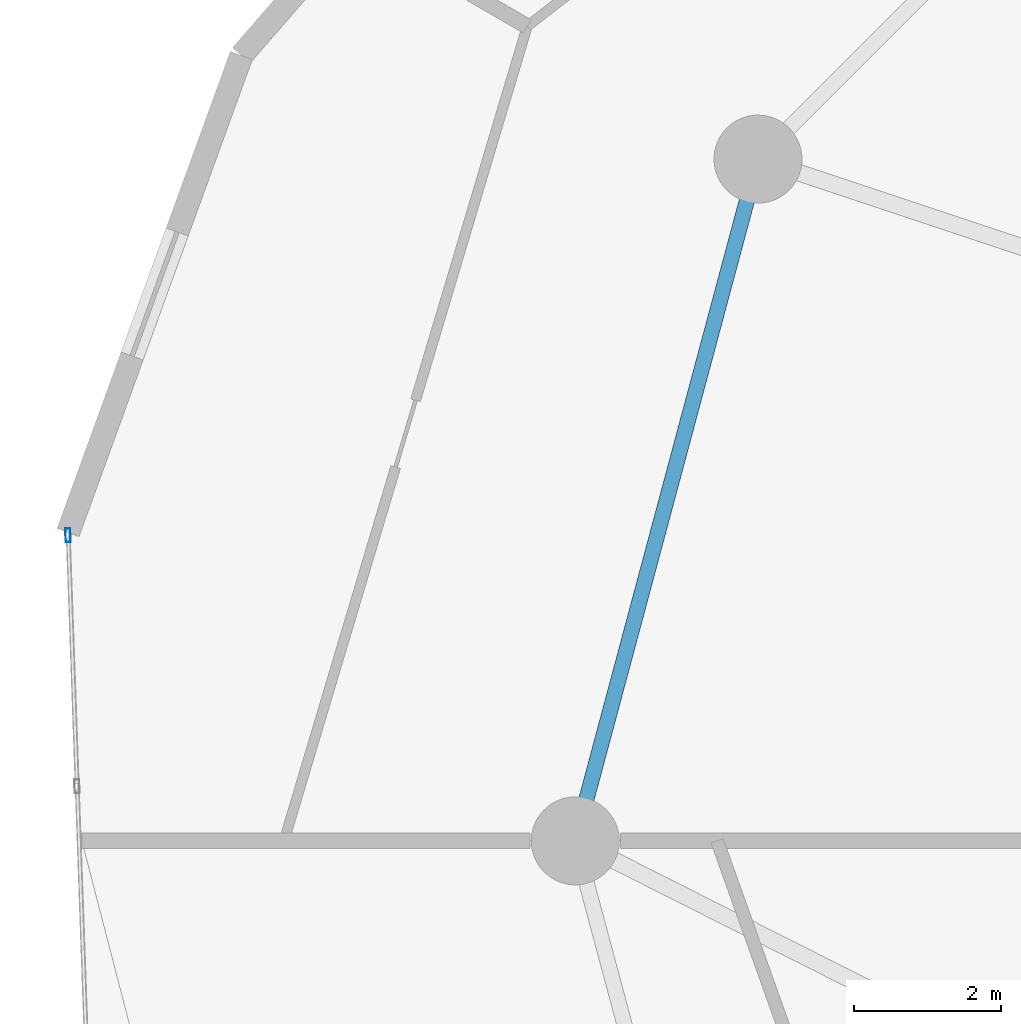
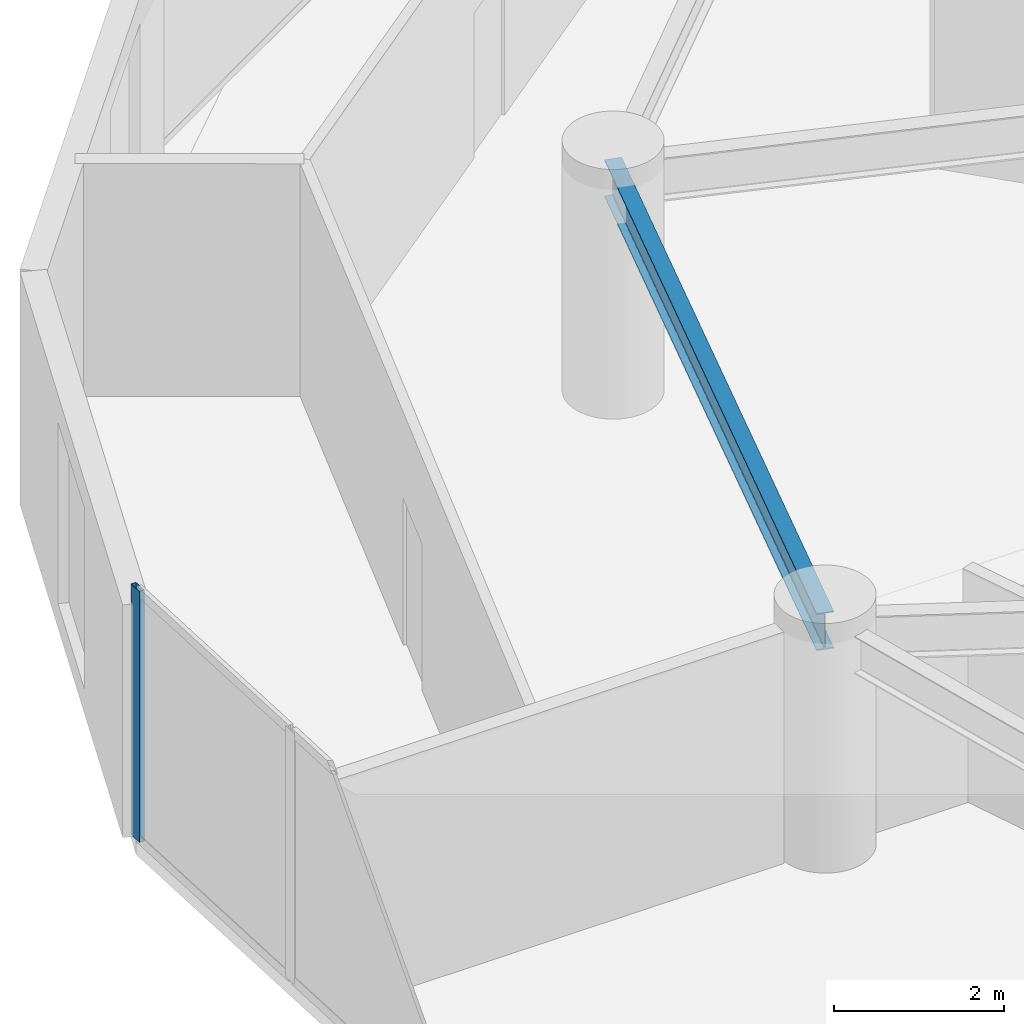
# One storey, part 6 of 23: 1 beam, 1 member, 1 element without a shape of its own.
"""IFC4 building model written with IfcOpenShell, lengths in metres."""

from ifc_helpers import new_model, si_unit, direction, frame, origin, origin_2d, place, context, subcontext, project, spatial, hollow_rectangle, i_section, extrude, source, transform, mapped, material, layer, layer_set, material_profile, profile_set, type_object, element, aggregate, save


model = new_model("IFC4")

# Units and contexts
model_context = context("Model", 3, precision=1e-05, world=origin(), true_north=direction((0.0, 1.0)))
body_context = subcontext(model_context, "Body", "Model", "MODEL_VIEW")
ifc_project = project(units=[si_unit("LENGTHUNIT", "METRE"), si_unit("AREAUNIT", "SQUARE_METRE"), si_unit("VOLUMEUNIT", "CUBIC_METRE"), si_unit("PLANEANGLEUNIT", "RADIAN"), si_unit("MASSUNIT", "GRAM", prefix="KILO")], contexts=[model_context])

# Site, building, storey
site_placement = place(None, origin())
site = spatial("IfcSite", under=ifc_project, at=site_placement, CompositionType="ELEMENT")
building_placement = place(site_placement, origin())
building = spatial("IfcBuilding", under=site, at=building_placement, Name="Solvirekh Grand Hotel", CompositionType="ELEMENT")
storey_placement = place(building_placement, frame((0.0, 0.0, 42.800048828125)))
storey = spatial("IfcBuildingStorey", under=building, at=storey_placement, Name="L09", CompositionType="ELEMENT", Elevation=42.800048828125)

# Beam
ifc_material_1 = material(Name="Steel S355", Category="steel")
ifc_material_profile_1 = material_profile(ifc_material_1, i_section(OverallWidth=0.208984375, OverallDepth=0.532958984375, WebThickness=0.010009765625, FlangeThickness=0.014892578125, FilletRadius=0.013916015625, at=origin_2d()), Name="W530X92")
ifc_profile_set_1 = profile_set([ifc_material_profile_1], Name="Steel S355")
beam_type = type_object("IfcBeamType", Name="Spandrel_Ring_W530", PredefinedType="SPANDREL", material=ifc_profile_set_1)
beam_placement = place(storey_placement, frame((-16.10791015625, 9.300048828125, 3.072998046875), z_axis=(-0.258842973314, -0.965919414426, 0.0), x_axis=(0.965919414426, -0.258842973314, 0.0)))
element("IfcBeam", 1, at=beam_placement, inside=storey, type_object=beam_type, Name="L09 perimeter spandrel beam 6", PredefinedType="SPANDREL", context=body_context, shape_type="SweptSolid", body=[
    extrude(i_section(OverallWidth=0.208984375, OverallDepth=0.532958984375, WebThickness=0.010009765625, FlangeThickness=0.014892578125, FilletRadius=0.013916015625, at=origin_2d()), origin(), (0.0, 0.0, 1.0), 9.628173828125),
])

# Curtain wall, member
ifc_material_2 = material(Name="Anodized Bronze Aluminium 6063-T6", Category="aluminium")
ifc_layer = layer(ifc_material_2, 0.18994140625)
ifc_layer_set = layer_set([ifc_layer], Name="Anodized Bronze Aluminium 6063-T6")
curtain_wall_type = type_object("IfcCurtainWallType", Name="CW_Sys2_LowZoneFlushBronzeCW", PredefinedType="NOTDEFINED", material=ifc_layer_set)
curtain_wall_placement = place(storey_placement, origin())
curtain_wall = element("IfcCurtainWall", 2, at=curtain_wall_placement, inside=storey, type_object=curtain_wall_type, Name="L09 unitised bronze-glass curtain wall CW-L09-C11", PredefinedType="NOTDEFINED")
ifc_material_profile_2 = material_profile(ifc_material_2, hollow_rectangle(XDim=0.070068359375, YDim=0.18994140625, WallThickness=0.0048828125, at=origin_2d()), Name="ALU RHS 190X70X5")
ifc_profile_set_2 = profile_set([ifc_material_profile_2], Name="Anodized Bronze Aluminium 6063-T6")
member_type = type_object("IfcMemberType", Name="CWMullion_Sys2", PredefinedType="MULLION", material=ifc_profile_set_2)
shared_shape = source(origin(), body_context, "Body", "SweptSolid", [
    extrude(hollow_rectangle(XDim=0.070068359375, YDim=0.18994140625, WallThickness=0.0048828125, at=origin_2d()), origin(), (0.0, 0.0, 1.0), 3.599853515625),
])
member_placement = place(storey_placement, frame((-25.519775390625, 4.169921875, 0.0), z_axis=(0.0, 0.0, 1.0), x_axis=(0.999363773735, 0.035665778374, 0.0)))
member = element("IfcMember", 3, at=member_placement, type_object=member_type, Name="U02 mullion 1", PredefinedType="MULLION", context=body_context, shape_type="MappedRepresentation", body=[
    mapped(shared_shape, transform((0.0, 0.0, 0.0), x_axis=(1.0, 0.0, 0.0), y_axis=(0.0, 1.0, 0.0), z_axis=(0.0, 0.0, 1.0), scale=1.0)),
])
aggregate(curtain_wall, [member])

save(model, "model.ifc")
